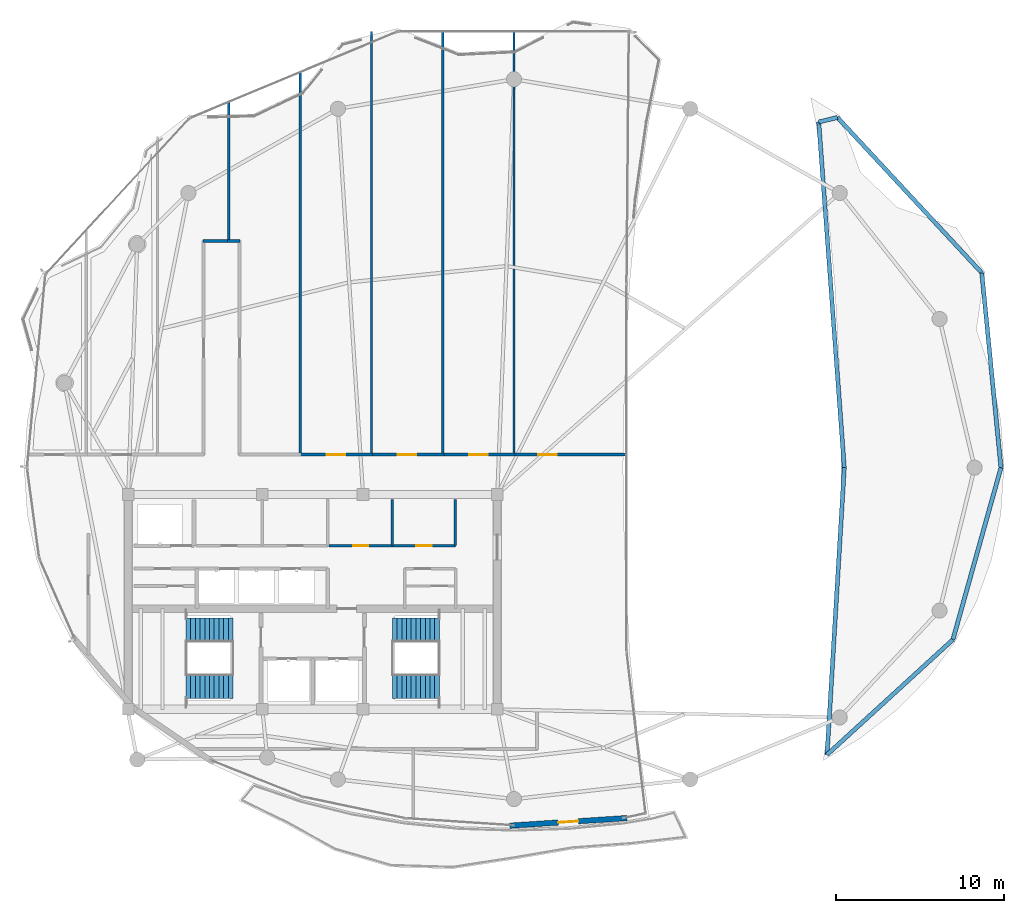
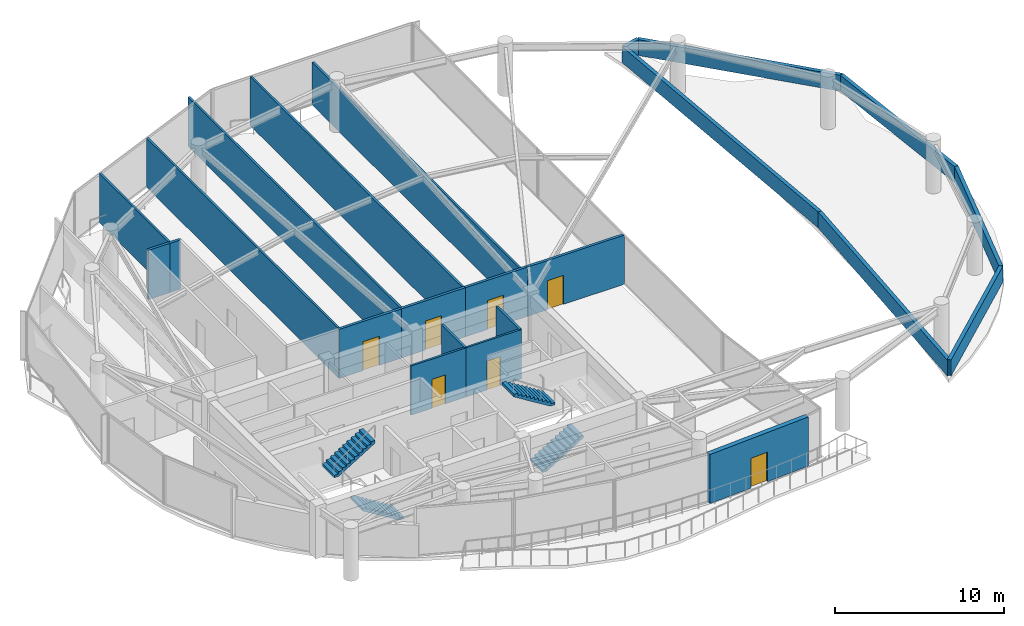
# One storey, part 20 of 23: 23 walls, 7 doors, 4 stair flights, 7 openings, 2 elements without a shape of their own.
"""IFC4 building model written with IfcOpenShell, lengths in metres."""

from ifc_helpers import new_model, si_unit, direction, frame, frame_2d, origin, place, context, subcontext, project, spatial, polyline, rectangle, outline, extrude, material, layer, layer_set, type_object, element, fill, aggregate, save


model = new_model("IFC4")

# Units and contexts
model_context = context("Model", 3, precision=1e-05, world=origin(), true_north=direction((0.0, 1.0)))
body_context = subcontext(model_context, "Body", "Model", "MODEL_VIEW")
ifc_project = project(units=[si_unit("LENGTHUNIT", "METRE"), si_unit("AREAUNIT", "SQUARE_METRE"), si_unit("VOLUMEUNIT", "CUBIC_METRE"), si_unit("PLANEANGLEUNIT", "RADIAN"), si_unit("MASSUNIT", "GRAM", prefix="KILO")], contexts=[model_context])

# Site, building, storey
site_placement = place(None, origin())
site = spatial("IfcSite", under=ifc_project, at=site_placement, CompositionType="ELEMENT")
building_placement = place(site_placement, origin())
building = spatial("IfcBuilding", under=site, at=building_placement, Name="Kazevale Care Tower and Concert Hall", CompositionType="ELEMENT")
storey_placement = place(building_placement, frame((0.0, 0.0, 270.0)))
storey = spatial("IfcBuildingStorey", under=building, at=storey_placement, Name="L71", CompositionType="ELEMENT", Elevation=270.0)

# Wall, opening, door
ifc_material_1 = material(Name="Acoustic Gypsum on Steel Stud", Category="steel")
ifc_layer_1 = layer(ifc_material_1, 0.139892578125)
ifc_layer_set_1 = layer_set([ifc_layer_1], Name="Acoustic Gypsum on Steel Stud")
wall_type_1 = type_object("IfcWallType", Name="Acoustic Care & Suite Partition 140", PredefinedType="PARTITIONING", material=ifc_layer_set_1)
wall_1_placement = place(storey_placement, frame((33.97998046875, 33.35009765625, 0.0), z_axis=(0.0, 0.0, 1.0), x_axis=(1.0, 0.0, 0.0)))
wall_1 = element("IfcWall", 1, at=wall_1_placement, inside=storey, type_object=wall_type_1, Name="wall:L71:c_rpm1_s", PredefinedType="PARTITIONING", context=body_context, shape_type="SweptSolid", body=[
    extrude(rectangle(XDim=3.77001953125, YDim=0.139892578125, at=frame_2d((1.885009765625, 0.0))), origin(), (0.0, 0.0, 1.0), 3.56005859375),
])
opening_1_placement = place(wall_1_placement, frame((1.425048828125, 0.0, 0.0)))
opening_1 = element("IfcOpeningElement", 2, at=opening_1_placement, cuts=wall_1, Name="Opening ID-900", PredefinedType="OPENING", context=body_context, shape_type="SweptSolid", body=[
    extrude(rectangle(XDim=0.919921875, YDim=2.10009765625, at=frame_2d((0.4599609375, 1.050048828125))), frame((0.0, 0.079833984375, 0.0), z_axis=(0.0, -1.0, 0.0), x_axis=(1.0, 0.0, 0.0)), (0.0, 0.0, 1.0), 0.159912109375),
])
ifc_material_2 = material(Name="Oak Timber Fire Leaf", Category="wood")
door_type_1 = type_object("IfcDoorType", Name="Bathroom & Service Door 920x2100", OperationType="NOTDEFINED", PredefinedType="DOOR", material=ifc_material_2)
door_1_placement = place(opening_1_placement, origin())
door_1 = element("IfcDoor", 3, at=door_1_placement, inside=storey, type_object=door_type_1, Name="door:L71:d_rpm1", OperationType="SINGLE_SWING_LEFT", OverallHeight=2.10009765625, OverallWidth=0.919921875, PredefinedType="DOOR", context=body_context, shape_type="SweptSolid", body=[
    extrude(rectangle(XDim=0.919921875, YDim=2.10009765625, at=frame_2d((0.4599609375, 1.050048828125))), frame((0.0, 0.02490234375, 0.0), z_axis=(0.0, -1.0, 0.0), x_axis=(1.0, 0.0, 0.0)), (0.0, 0.0, 1.0), 0.050048828125),
])
fill(opening_1, door_1)

wall_2_placement = place(storey_placement, frame((37.75, 33.35009765625, 0.0), z_axis=(0.0, 0.0, 1.0), x_axis=(1.0, 0.0, 0.0)))
wall_2 = element("IfcWall", 4, at=wall_2_placement, inside=storey, type_object=wall_type_1, Name="wall:L71:c_rpm2_s", PredefinedType="PARTITIONING", context=body_context, shape_type="SweptSolid", body=[
    extrude(rectangle(XDim=3.77001953125, YDim=0.139892578125, at=frame_2d((1.885009765625, 0.0))), origin(), (0.0, 0.0, 1.0), 3.56005859375),
])
opening_2_placement = place(wall_2_placement, frame((1.425048828125, 0.0, 0.0)))
opening_2 = element("IfcOpeningElement", 5, at=opening_2_placement, cuts=wall_2, Name="Opening ID-900", PredefinedType="OPENING", context=body_context, shape_type="SweptSolid", body=[
    extrude(rectangle(XDim=0.919921875, YDim=2.10009765625, at=frame_2d((0.4599609375, 1.050048828125))), frame((0.0, 0.079833984375, 0.0), z_axis=(0.0, -1.0, 0.0), x_axis=(1.0, 0.0, 0.0)), (0.0, 0.0, 1.0), 0.159912109375),
])
door_2_placement = place(opening_2_placement, origin())
door_2 = element("IfcDoor", 6, at=door_2_placement, inside=storey, type_object=door_type_1, Name="door:L71:d_rpm2", OperationType="SINGLE_SWING_RIGHT", OverallHeight=2.10009765625, OverallWidth=0.919921875, PredefinedType="DOOR", context=body_context, shape_type="SweptSolid", body=[
    extrude(rectangle(XDim=0.919921875, YDim=2.10009765625, at=frame_2d((0.4599609375, 1.050048828125))), frame((0.0, 0.02490234375, 0.0), z_axis=(0.0, -1.0, 0.0), x_axis=(1.0, 0.0, 0.0)), (0.0, 0.0, 1.0), 0.050048828125),
])
fill(opening_2, door_2)

# Walls
for number, where, z_axis, x_axis, name in (
    (7, (37.75, 33.35009765625, 0.0), (0.0, 0.0, 1.0), (0.0, 1.0, 0.0), "wall:L71:c_rpm_m"),
    (8, (41.5, 33.35009765625, 0.0), (0.0, 0.0, 1.0), (0.0, 1.0, 0.0), "wall:L71:c_rpm_e"),
):
    element("IfcWall", number, at=place(storey_placement, frame(where, z_axis=z_axis, x_axis=x_axis)), inside=storey, type_object=wall_type_1, Name=name, PredefinedType="PARTITIONING", context=body_context, shape_type="SweptSolid", body=[
        extrude(rectangle(XDim=2.75, YDim=0.139892578125, at=frame_2d((1.375, 0.0))), origin(), (0.0, 0.0, 1.0), 3.56005859375),
    ])
wall_3_placement = place(storey_placement, frame((28.0, 59.787109375, 0.0), z_axis=(0.0, 0.0, 1.0), x_axis=(0.0, -1.0, 0.0)))
element("IfcWall", 9, at=wall_3_placement, inside=storey, type_object=wall_type_1, Name="wall:L71:auto_019", PredefinedType="PARTITIONING", context=body_context, shape_type="SweptSolid", body=[
    extrude(rectangle(XDim=8.317138671875, YDim=0.139892578125, at=frame_2d((4.15869140625, 0.0))), origin(), (0.0, 0.0, 1.0), 3.56005859375),
])
wall_4_placement = place(storey_placement, frame((32.25, 61.558349609375, 0.0), z_axis=(0.0, 0.0, 1.0), x_axis=(0.0, -1.0, 0.0)))
element("IfcWall", 10, at=wall_4_placement, inside=storey, type_object=wall_type_1, Name="wall:L71:auto_020", PredefinedType="PARTITIONING", context=body_context, shape_type="SweptSolid", body=[
    extrude(rectangle(XDim=22.813232421875, YDim=0.139892578125, at=frame_2d((11.40673828125, 0.0))), origin(), (0.0, 0.0, 1.0), 3.56005859375),
])
wall_5_placement = place(storey_placement, frame((36.5, 63.98193359375, 0.0), z_axis=(0.0, 0.0, 1.0), x_axis=(0.0, -1.0, 0.0)))
element("IfcWall", 11, at=wall_5_placement, inside=storey, type_object=wall_type_1, Name="wall:L71:auto_021", PredefinedType="PARTITIONING", context=body_context, shape_type="SweptSolid", body=[
    extrude(rectangle(XDim=25.23681640625, YDim=0.139892578125, at=frame_2d((12.618408203125, 0.0))), origin(), (0.0, 0.0, 1.0), 3.56005859375),
])
wall_6_placement = place(storey_placement, frame((40.75, 63.981689453125, 0.0), z_axis=(0.0, 0.0, 1.0), x_axis=(0.0, -1.0, 0.0)))
element("IfcWall", 12, at=wall_6_placement, inside=storey, type_object=wall_type_1, Name="wall:L71:auto_022", PredefinedType="PARTITIONING", context=body_context, shape_type="SweptSolid", body=[
    extrude(rectangle(XDim=25.236572265625, YDim=0.139892578125, at=frame_2d((12.6181640625, 0.0))), origin(), (0.0, 0.0, 1.0), 3.56005859375),
])
wall_7_placement = place(storey_placement, frame((45.0, 63.987548828125, 0.0), z_axis=(0.0, 0.0, 1.0), x_axis=(0.0, -1.0, 0.0)))
element("IfcWall", 13, at=wall_7_placement, inside=storey, type_object=wall_type_1, Name="wall:L71:auto_023", PredefinedType="PARTITIONING", context=body_context, shape_type="SweptSolid", body=[
    extrude(rectangle(XDim=25.242431640625, YDim=0.139892578125, at=frame_2d((12.62109375, 0.0))), origin(), (0.0, 0.0, 1.0), 3.090087890625),
])
ifc_material_3 = material(Name="Concrete C40 and Acoustic Gypsum", Category="concrete")
ifc_layer_2 = layer(ifc_material_3, 0.179931640625)
ifc_layer_set_2 = layer_set([ifc_layer_2], Name="Concrete C40 and Acoustic Gypsum")
wall_type_2 = type_object("IfcWallType", Name="Fire-Rated Corridor & Party Wall 180", PredefinedType="PARTITIONING", material=ifc_layer_set_2)
wall_8_placement = place(storey_placement, frame((26.469970703125, 51.5, 0.0), z_axis=(0.0, 0.0, 1.0), x_axis=(1.0, 0.0, 0.0)))
element("IfcWall", 14, at=wall_8_placement, inside=storey, type_object=wall_type_2, Name="wall:L71:auto_005", PredefinedType="PARTITIONING", context=body_context, shape_type="SweptSolid", body=[
    extrude(rectangle(XDim=1.594970703125, YDim=0.179931640625, at=frame_2d((0.79736328125, 0.0))), origin(), (0.0, 0.0, 1.0), 3.56005859375),
])
wall_9_placement = place(storey_placement, frame((27.93505859375, 51.5, 0.0), z_axis=(0.0, 0.0, 1.0), x_axis=(1.0, 0.0, 0.0)))
element("IfcWall", 15, at=wall_9_placement, inside=storey, type_object=wall_type_2, Name="wall:L71:auto_008", PredefinedType="PARTITIONING", context=body_context, shape_type="SweptSolid", body=[
    extrude(rectangle(XDim=0.744873046875, YDim=0.179931640625, at=frame_2d((0.37255859375, 0.0))), origin(), (0.0, 0.0, 1.0), 3.56005859375),
])

# Wall, opening, door
wall_10_placement = place(storey_placement, frame((32.18505859375, 38.77490234375, 0.0), z_axis=(0.0, 0.0, 1.0), x_axis=(1.0, 0.0, 0.0)))
wall_10 = element("IfcWall", 16, at=wall_10_placement, inside=storey, type_object=wall_type_2, Name="wall:L71:auto_009", PredefinedType="PARTITIONING", context=body_context, shape_type="SweptSolid", body=[
    extrude(rectangle(XDim=4.3798828125, YDim=0.179931640625, at=frame_2d((2.18994140625, 0.0))), origin(), (0.0, 0.0, 1.0), 3.56005859375),
])
opening_3_placement = place(wall_10_placement, frame((1.639892578125, 0.0, 0.0)))
opening_3 = element("IfcOpeningElement", 17, at=opening_3_placement, cuts=wall_10, Name="Opening ID-1100", PredefinedType="OPENING", context=body_context, shape_type="SweptSolid", body=[
    extrude(rectangle(XDim=1.10009765625, YDim=2.10009765625, at=frame_2d((0.550048828125, 1.050048828125))), frame((0.0, 0.099853515625, 0.0), z_axis=(0.0, -1.0, 0.0), x_axis=(1.0, 0.0, 0.0)), (0.0, 0.0, 1.0), 0.199951171875),
])
door_type_2 = type_object("IfcDoorType", Name="Care Bedroom Accessible Door 1100x2100", OperationType="NOTDEFINED", PredefinedType="DOOR", material=ifc_material_2)
door_3_placement = place(opening_3_placement, origin())
door_3 = element("IfcDoor", 18, at=door_3_placement, inside=storey, type_object=door_type_2, Name="door:L71:ad_009", OperationType="SINGLE_SWING_LEFT", OverallHeight=2.10009765625, OverallWidth=1.10009765625, PredefinedType="DOOR", context=body_context, shape_type="SweptSolid", body=[
    extrude(rectangle(XDim=1.10009765625, YDim=2.10009765625, at=frame_2d((0.550048828125, 1.050048828125))), frame((0.0, 0.02490234375, 0.0), z_axis=(0.0, -1.0, 0.0), x_axis=(1.0, 0.0, 0.0)), (0.0, 0.0, 1.0), 0.050048828125),
])
fill(opening_3, door_3)

wall_11_placement = place(storey_placement, frame((36.43505859375, 38.77490234375, 0.0), z_axis=(0.0, 0.0, 1.0), x_axis=(1.0, 0.0, 0.0)))
wall_11 = element("IfcWall", 19, at=wall_11_placement, inside=storey, type_object=wall_type_2, Name="wall:L71:auto_010", PredefinedType="PARTITIONING", context=body_context, shape_type="SweptSolid", body=[
    extrude(rectangle(XDim=4.3798828125, YDim=0.179931640625, at=frame_2d((2.18994140625, 0.0))), origin(), (0.0, 0.0, 1.0), 3.56005859375),
])
opening_4_placement = place(wall_11_placement, frame((1.639892578125, 0.0, 0.0)))
opening_4 = element("IfcOpeningElement", 20, at=opening_4_placement, cuts=wall_11, Name="Opening ID-1100", PredefinedType="OPENING", context=body_context, shape_type="SweptSolid", body=[
    extrude(rectangle(XDim=1.10009765625, YDim=2.10009765625, at=frame_2d((0.550048828125, 1.050048828125))), frame((0.0, 0.099853515625, 0.0), z_axis=(0.0, -1.0, 0.0), x_axis=(1.0, 0.0, 0.0)), (0.0, 0.0, 1.0), 0.199951171875),
])
door_4_placement = place(opening_4_placement, origin())
door_4 = element("IfcDoor", 21, at=door_4_placement, inside=storey, type_object=door_type_2, Name="door:L71:ad_010", OperationType="SINGLE_SWING_LEFT", OverallHeight=2.10009765625, OverallWidth=1.10009765625, PredefinedType="DOOR", context=body_context, shape_type="SweptSolid", body=[
    extrude(rectangle(XDim=1.10009765625, YDim=2.10009765625, at=frame_2d((0.550048828125, 1.050048828125))), frame((0.0, 0.02490234375, 0.0), z_axis=(0.0, -1.0, 0.0), x_axis=(1.0, 0.0, 0.0)), (0.0, 0.0, 1.0), 0.050048828125),
])
fill(opening_4, door_4)

wall_12_placement = place(storey_placement, frame((40.68505859375, 38.77490234375, 0.0), z_axis=(0.0, 0.0, 1.0), x_axis=(1.0, 0.0, 0.0)))
wall_12 = element("IfcWall", 22, at=wall_12_placement, inside=storey, type_object=wall_type_2, Name="wall:L71:auto_011", PredefinedType="PARTITIONING", context=body_context, shape_type="SweptSolid", body=[
    extrude(rectangle(XDim=4.3798828125, YDim=0.179931640625, at=frame_2d((2.18994140625, 0.0))), origin(), (0.0, 0.0, 1.0), 3.56005859375),
])
opening_5_placement = place(wall_12_placement, frame((1.639892578125, 0.0, 0.0)))
opening_5 = element("IfcOpeningElement", 23, at=opening_5_placement, cuts=wall_12, Name="Opening ID-1100", PredefinedType="OPENING", context=body_context, shape_type="SweptSolid", body=[
    extrude(rectangle(XDim=1.10009765625, YDim=2.10009765625, at=frame_2d((0.550048828125, 1.050048828125))), frame((0.0, 0.099853515625, 0.0), z_axis=(0.0, -1.0, 0.0), x_axis=(1.0, 0.0, 0.0)), (0.0, 0.0, 1.0), 0.199951171875),
])
door_5_placement = place(opening_5_placement, origin())
door_5 = element("IfcDoor", 24, at=door_5_placement, inside=storey, type_object=door_type_2, Name="door:L71:ad_011", OperationType="SINGLE_SWING_LEFT", OverallHeight=2.10009765625, OverallWidth=1.10009765625, PredefinedType="DOOR", context=body_context, shape_type="SweptSolid", body=[
    extrude(rectangle(XDim=1.10009765625, YDim=2.10009765625, at=frame_2d((0.550048828125, 1.050048828125))), frame((0.0, 0.02490234375, 0.0), z_axis=(0.0, -1.0, 0.0), x_axis=(1.0, 0.0, 0.0)), (0.0, 0.0, 1.0), 0.050048828125),
])
fill(opening_5, door_5)

wall_13_placement = place(storey_placement, frame((44.93505859375, 38.77490234375, 0.0), z_axis=(0.0, 0.0, 1.0), x_axis=(1.0, 0.0, 0.0)))
wall_13 = element("IfcWall", 25, at=wall_13_placement, inside=storey, type_object=wall_type_2, Name="wall:L71:auto_012", PredefinedType="PARTITIONING", context=body_context, shape_type="SweptSolid", body=[
    extrude(rectangle(XDim=6.766845703125, YDim=0.179931640625, at=frame_2d((3.38330078125, 0.0))), origin(), (0.0, 0.0, 1.0), 3.56005859375),
])
opening_6_placement = place(wall_13_placement, frame((1.4970703125, 0.0, 0.0)))
opening_6 = element("IfcOpeningElement", 26, at=opening_6_placement, cuts=wall_13, Name="Opening ID-1100", PredefinedType="OPENING", context=body_context, shape_type="SweptSolid", body=[
    extrude(rectangle(XDim=1.10009765625, YDim=2.10009765625, at=frame_2d((0.550048828125, 1.050048828125))), frame((0.0, 0.099853515625, 0.0), z_axis=(0.0, -1.0, 0.0), x_axis=(1.0, 0.0, 0.0)), (0.0, 0.0, 1.0), 0.199951171875),
])
door_6_placement = place(opening_6_placement, origin())
door_6 = element("IfcDoor", 27, at=door_6_placement, inside=storey, type_object=door_type_2, Name="door:L71:ad_012", OperationType="SINGLE_SWING_LEFT", OverallHeight=2.10009765625, OverallWidth=1.10009765625, PredefinedType="DOOR", context=body_context, shape_type="SweptSolid", body=[
    extrude(rectangle(XDim=1.10009765625, YDim=2.10009765625, at=frame_2d((0.550048828125, 1.050048828125))), frame((0.0, 0.02490234375, 0.0), z_axis=(0.0, -1.0, 0.0), x_axis=(1.0, 0.0, 0.0)), (0.0, 0.0, 1.0), 0.050048828125),
])
fill(opening_6, door_6)

# Walls
ifc_material_4 = material(Name="Concrete C40 with Honed Limestone Cladding", Category="masonry")
ifc_layer_3 = layer(ifc_material_4, 0.25)
ifc_layer_set_3 = layer_set([ifc_layer_3], Name="Concrete C40 with Honed Limestone Cladding")
wall_type_3 = type_object("IfcWallType", Name="Roof Limestone Parapet Wall 250", PredefinedType="PARAPET", material=ifc_layer_set_3)
wall_14_placement = place(storey_placement, frame((64.27392578125, 58.8720703125, 0.0), z_axis=(0.0, 0.0, 1.0), x_axis=(0.680514799805, -0.732734336063, 0.0)))
element("IfcWall", 28, at=wall_14_placement, inside=storey, type_object=wall_type_3, Name="wall:L71:pier_par:1", PredefinedType="PARAPET", context=body_context, shape_type="SweptSolid", body=[
    extrude(rectangle(XDim=12.641845703125, YDim=0.25, at=frame_2d((6.32080078125, 0.0))), origin(), (0.0, 0.0, 1.0), 1.14990234375),
])
wall_15_placement = place(storey_placement, frame((72.876953125, 49.60888671875, 0.0), z_axis=(0.0, 0.0, 1.0), x_axis=(0.097990893627, -0.995187311397, 0.0)))
element("IfcWall", 29, at=wall_15_placement, inside=storey, type_object=wall_type_3, Name="wall:L71:pier_par:2", PredefinedType="PARAPET", context=body_context, shape_type="SweptSolid", body=[
    extrude(rectangle(XDim=11.6650390625, YDim=0.25, at=frame_2d((5.83251953125, 0.0))), origin(), (0.0, 0.0, 1.0), 1.14990234375),
])
wall_16_placement = place(storey_placement, frame((74.02001953125, 38.0, 0.0), z_axis=(0.0, 0.0, 1.0), x_axis=(-0.269217194028, -0.96307948916, 0.0)))
element("IfcWall", 30, at=wall_16_placement, inside=storey, type_object=wall_type_3, Name="wall:L71:pier_par:3", PredefinedType="PARAPET", context=body_context, shape_type="SweptSolid", body=[
    extrude(rectangle(XDim=10.641845703125, YDim=0.25, at=frame_2d((5.32080078125, 0.0))), origin(), (0.0, 0.0, 1.0), 1.14990234375),
])
wall_17_placement = place(storey_placement, frame((71.155029296875, 27.7509765625, 0.0), z_axis=(0.0, 0.0, 1.0), x_axis=(-0.738078707826, -0.674714621936, 0.0)))
element("IfcWall", 31, at=wall_17_placement, inside=storey, type_object=wall_type_3, Name="wall:L71:pier_par:4", PredefinedType="PARAPET", context=body_context, shape_type="SweptSolid", body=[
    extrude(rectangle(XDim=10.1640625, YDim=0.25, at=frame_2d((5.08203125, 0.0))), origin(), (0.0, 0.0, 1.0), 1.14990234375),
])
wall_18_placement = place(storey_placement, frame((63.653076171875, 20.89306640625, 0.0), z_axis=(0.0, 0.0, 1.0), x_axis=(0.059917841169, 0.998203312111, 0.0)))
element("IfcWall", 32, at=wall_18_placement, inside=storey, type_object=wall_type_3, Name="wall:L71:pier_par:5", PredefinedType="PARAPET", context=body_context, shape_type="SweptSolid", body=[
    extrude(rectangle(XDim=17.1376953125, YDim=0.25, at=frame_2d((8.56884765625, 0.0))), origin(), (0.0, 0.0, 1.0), 1.14990234375),
])
wall_19_placement = place(storey_placement, frame((64.679931640625, 38.0, 0.0), z_axis=(0.0, 0.0, 1.0), x_axis=(-0.073728016463, 0.997278386203, 0.0)))
element("IfcWall", 33, at=wall_19_placement, inside=storey, type_object=wall_type_3, Name="wall:L71:pier_par:6", PredefinedType="PARAPET", context=body_context, shape_type="SweptSolid", body=[
    extrude(rectangle(XDim=20.65625, YDim=0.25, at=frame_2d((10.328125, 0.0))), origin(), (0.0, 0.0, 1.0), 1.14990234375),
])
wall_20_placement = place(storey_placement, frame((63.156982421875, 58.60009765625, 0.0), z_axis=(0.0, 0.0, 1.0), x_axis=(0.971610893341, 0.236584597854, 0.0)))
element("IfcWall", 34, at=wall_20_placement, inside=storey, type_object=wall_type_3, Name="wall:L71:pier_par:7", PredefinedType="PARAPET", context=body_context, shape_type="SweptSolid", body=[
    extrude(rectangle(XDim=1.149658203125, YDim=0.25, at=frame_2d((0.57470703125, 0.0))), origin(), (0.0, 0.0, 1.0), 1.14990234375),
])

# Wall, opening, door
ifc_layer_4 = layer(ifc_material_4, 0.320068359375)
ifc_layer_set_4 = layer_set([ifc_layer_4], Name="Concrete C40 with Honed Limestone Cladding")
wall_type_4 = type_object("IfcWallType", Name="Tower Honed Limestone Spandrel Wall 320", PredefinedType="STANDARD", material=ifc_layer_set_4)
wall_21_placement = place(storey_placement, frame((51.73291015625, 17.118896484375, 0.0), z_axis=(0.0, 0.0, 1.0), x_axis=(-0.997881827293, -0.065052738278, 0.0)))
wall_21 = element("IfcWall", 35, at=wall_21_placement, inside=storey, type_object=wall_type_4, Name="wall:L71:bal_host", PredefinedType="STANDARD", context=body_context, shape_type="SweptSolid", body=[
    extrude(rectangle(XDim=7.0068359375, YDim=0.320068359375, at=frame_2d((3.50341796875, 0.0))), origin(), (0.0, 0.0, 1.0), 3.56005859375),
])
opening_7_placement = place(wall_21_placement, frame((2.904052734375, 0.0, 0.0)))
opening_7 = element("IfcOpeningElement", 36, at=opening_7_placement, cuts=wall_21, Name="Opening BD-1200", PredefinedType="OPENING", context=body_context, shape_type="SweptSolid", body=[
    extrude(rectangle(XDim=1.199951171875, YDim=2.14990234375, at=frame_2d((0.60009765625, 1.074951171875))), frame((0.0, 0.169921875, 0.0), z_axis=(0.0, -1.0, 0.0), x_axis=(1.0, 0.0, 0.0)), (0.0, 0.0, 1.0), 0.340087890625),
])
ifc_material_5 = material(Name="Aluminium 6063-T6 and Low-E Glass", Category="aluminium")
door_type_3 = type_object("IfcDoorType", Name="Sheltered Balcony Glazed Door 1200x2150", OperationType="NOTDEFINED", PredefinedType="DOOR", material=ifc_material_5)
door_7_placement = place(opening_7_placement, origin())
door_7 = element("IfcDoor", 37, at=door_7_placement, inside=storey, type_object=door_type_3, Name="door:L71:BD-1", OperationType="SINGLE_SWING_LEFT", OverallHeight=2.14990234375, OverallWidth=1.199951171875, PredefinedType="DOOR", context=body_context, shape_type="SweptSolid", body=[
    extrude(rectangle(XDim=1.199951171875, YDim=2.14990234375, at=frame_2d((0.60009765625, 1.074951171875))), frame((0.0, 0.02490234375, 0.0), z_axis=(0.0, -1.0, 0.0), x_axis=(1.0, 0.0, 0.0)), (0.0, 0.0, 1.0), 0.050048828125),
])
fill(opening_7, door_7)

# Stair, stair flights
ifc_material_6 = material(Name="Concrete C40", Category="concrete")
stair_type = type_object("IfcStairType", Name="Exit Stair Assembly ST1-U", PredefinedType="HALF_TURN_STAIR", material=ifc_material_6)
stair_1_placement = place(storey_placement, origin())
stair_1 = element("IfcStair", 38, at=stair_1_placement, inside=storey, type_object=stair_type, Name="stair:L71:ST1", PredefinedType="HALF_TURN_STAIR")
ifc_layer_5 = layer(ifc_material_6, 0.159912109375)
ifc_layer_set_5 = layer_set([ifc_layer_5], Name="Concrete C40")
stair_flight_type = type_object("IfcStairFlightType", Name="Exit Stair Flight ST1-U", PredefinedType="STRAIGHT", material=ifc_layer_set_5)
stair_flight_1_placement = place(storey_placement, frame((28.25, 24.969970703125, 0.0), z_axis=(0.0, 0.0, 1.0), x_axis=(-1.0, 0.0, 0.0)))
stair_flight_1 = element("IfcStairFlight", 39, at=stair_flight_1_placement, type_object=stair_flight_type, Name="ST1-U flight 1", NumberOfRisers=11, NumberOfTreads=10, PredefinedType="STRAIGHT", RiserHeight=0.172727, TreadLength=0.28, context=body_context, shape_type="SweptSolid", body=[
    extrude(outline(polyline([(0.0, 0.0), (0.0, 0.172607421875), (0.280029296875, 0.172607421875), (0.280029296875, 0.345458984375), (0.56005859375, 0.345458984375), (0.56005859375, 0.51806640625), (0.840087890625, 0.51806640625), (0.840087890625, 0.69091796875), (1.1201171875, 0.69091796875), (1.1201171875, 0.863525390625), (1.39990234375, 0.863525390625), (1.39990234375, 1.036376953125), (1.679931640625, 1.036376953125), (1.679931640625, 1.208984375), (1.9599609375, 1.208984375), (1.9599609375, 1.3818359375), (2.239990234375, 1.3818359375), (2.239990234375, 1.554443359375), (2.52001953125, 1.554443359375), (2.52001953125, 1.727294921875), (2.800048828125, 1.727294921875), (2.800048828125, 1.89990234375), (2.800048828125, 1.539306640625), (0.3046875, 0.0), (0.0, 0.0)])), frame((0.0, 0.719970703125, 0.0), z_axis=(0.0, -1.0, 0.0), x_axis=(1.0, 0.0, 0.0)), (0.0, 0.0, 1.0), 1.43994140625),
])
stair_flight_2_placement = place(storey_placement, frame((25.449951171875, 28.330078125, 1.89990234375), z_axis=(0.0, 0.0, 1.0), x_axis=(1.0, 0.0, 0.0)))
stair_flight_2 = element("IfcStairFlight", 40, at=stair_flight_2_placement, type_object=stair_flight_type, Name="ST1-U flight 2", NumberOfRisers=11, NumberOfTreads=10, PredefinedType="STRAIGHT", RiserHeight=0.172727, TreadLength=0.28, context=body_context, shape_type="SweptSolid", body=[
    extrude(outline(polyline([(0.0, 0.0), (0.0, 0.172607421875), (0.280029296875, 0.172607421875), (0.280029296875, 0.345458984375), (0.56005859375, 0.345458984375), (0.56005859375, 0.51806640625), (0.840087890625, 0.51806640625), (0.840087890625, 0.69091796875), (1.1201171875, 0.69091796875), (1.1201171875, 0.863525390625), (1.39990234375, 0.863525390625), (1.39990234375, 1.036376953125), (1.679931640625, 1.036376953125), (1.679931640625, 1.208984375), (1.9599609375, 1.208984375), (1.9599609375, 1.3818359375), (2.239990234375, 1.3818359375), (2.239990234375, 1.554443359375), (2.52001953125, 1.554443359375), (2.52001953125, 1.727294921875), (2.800048828125, 1.727294921875), (2.800048828125, 1.89990234375), (2.800048828125, 1.539306640625), (0.3046875, 0.0), (0.0, 0.0)])), frame((0.0, 0.719970703125, 0.0), z_axis=(0.0, -1.0, 0.0), x_axis=(1.0, 0.0, 0.0)), (0.0, 0.0, 1.0), 1.43994140625),
])
aggregate(stair_1, [stair_flight_1, stair_flight_2])

stair_2_placement = place(storey_placement, origin())
stair_2 = element("IfcStair", 41, at=stair_2_placement, inside=storey, type_object=stair_type, Name="stair:L71:ST2", PredefinedType="HALF_TURN_STAIR")
stair_flight_3_placement = place(storey_placement, frame((37.75, 24.969970703125, 0.0), z_axis=(0.0, 0.0, 1.0), x_axis=(1.0, 0.0, 0.0)))
stair_flight_3 = element("IfcStairFlight", 42, at=stair_flight_3_placement, type_object=stair_flight_type, Name="ST1-U flight 1", NumberOfRisers=11, NumberOfTreads=10, PredefinedType="STRAIGHT", RiserHeight=0.172727, TreadLength=0.28, context=body_context, shape_type="SweptSolid", body=[
    extrude(outline(polyline([(0.0, 0.0), (0.0, 0.172607421875), (0.280029296875, 0.172607421875), (0.280029296875, 0.345458984375), (0.56005859375, 0.345458984375), (0.56005859375, 0.51806640625), (0.840087890625, 0.51806640625), (0.840087890625, 0.69091796875), (1.1201171875, 0.69091796875), (1.1201171875, 0.863525390625), (1.39990234375, 0.863525390625), (1.39990234375, 1.036376953125), (1.679931640625, 1.036376953125), (1.679931640625, 1.208984375), (1.9599609375, 1.208984375), (1.9599609375, 1.3818359375), (2.239990234375, 1.3818359375), (2.239990234375, 1.554443359375), (2.52001953125, 1.554443359375), (2.52001953125, 1.727294921875), (2.800048828125, 1.727294921875), (2.800048828125, 1.89990234375), (2.800048828125, 1.539306640625), (0.3046875, 0.0), (0.0, 0.0)])), frame((0.0, 0.719970703125, 0.0), z_axis=(0.0, -1.0, 0.0), x_axis=(1.0, 0.0, 0.0)), (0.0, 0.0, 1.0), 1.43994140625),
])
stair_flight_4_placement = place(storey_placement, frame((40.550048828125, 28.330078125, 1.89990234375), z_axis=(0.0, 0.0, 1.0), x_axis=(-1.0, 0.0, 0.0)))
stair_flight_4 = element("IfcStairFlight", 43, at=stair_flight_4_placement, type_object=stair_flight_type, Name="ST1-U flight 2", NumberOfRisers=11, NumberOfTreads=10, PredefinedType="STRAIGHT", RiserHeight=0.172727, TreadLength=0.28, context=body_context, shape_type="SweptSolid", body=[
    extrude(outline(polyline([(0.0, 0.0), (0.0, 0.172607421875), (0.280029296875, 0.172607421875), (0.280029296875, 0.345458984375), (0.56005859375, 0.345458984375), (0.56005859375, 0.51806640625), (0.840087890625, 0.51806640625), (0.840087890625, 0.69091796875), (1.1201171875, 0.69091796875), (1.1201171875, 0.863525390625), (1.39990234375, 0.863525390625), (1.39990234375, 1.036376953125), (1.679931640625, 1.036376953125), (1.679931640625, 1.208984375), (1.9599609375, 1.208984375), (1.9599609375, 1.3818359375), (2.239990234375, 1.3818359375), (2.239990234375, 1.554443359375), (2.52001953125, 1.554443359375), (2.52001953125, 1.727294921875), (2.800048828125, 1.727294921875), (2.800048828125, 1.89990234375), (2.800048828125, 1.539306640625), (0.3046875, 0.0), (0.0, 0.0)])), frame((0.0, 0.719970703125, 0.0), z_axis=(0.0, -1.0, 0.0), x_axis=(1.0, 0.0, 0.0)), (0.0, 0.0, 1.0), 1.43994140625),
])
aggregate(stair_2, [stair_flight_3, stair_flight_4])

save(model, "model.ifc")
